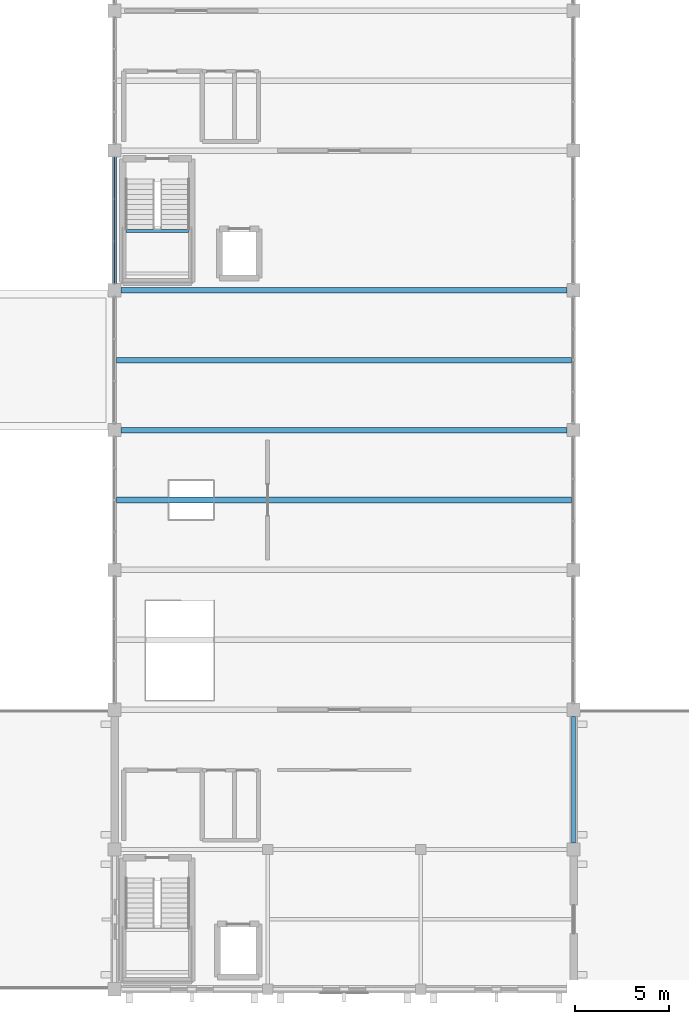
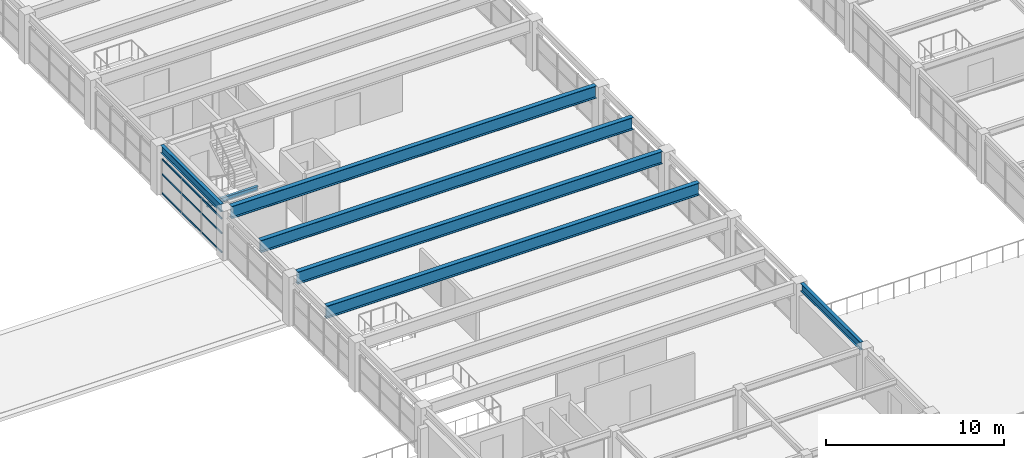
# One storey, part 29 of 121: 7 beams, 3 members, 1 element without a shape of its own.
"""IFC4 building model written with IfcOpenShell, lengths in metres."""

from ifc_helpers import new_model, si_unit, direction, frame, origin, origin_2d, place, context, subcontext, project, spatial, hollow_rectangle, i_section, extrude, material, material_profile, profile_set, type_object, element, aggregate, save


model = new_model("IFC4")

# Units and contexts
model_context = context("Model", 3, precision=1e-05, world=origin(), true_north=direction((0.0, 1.0)))
body_context = subcontext(model_context, "Body", "Model", "MODEL_VIEW")
ifc_project = project(units=[si_unit("LENGTHUNIT", "METRE"), si_unit("AREAUNIT", "SQUARE_METRE"), si_unit("VOLUMEUNIT", "CUBIC_METRE"), si_unit("PLANEANGLEUNIT", "RADIAN"), si_unit("MASSUNIT", "GRAM", prefix="KILO")], contexts=[model_context])

# Site, building, storey
site_placement = place(None, origin())
site = spatial("IfcSite", under=ifc_project, at=site_placement, CompositionType="ELEMENT")
building_placement = place(site_placement, origin())
building = spatial("IfcBuilding", under=site, at=building_placement, Name="Cimatlan Art Gallery", CompositionType="ELEMENT")
storey_placement = place(building_placement, frame((0.0, 0.0, 10.199951171875)))
storey = spatial("IfcBuildingStorey", under=building, at=storey_placement, Name="L02", CompositionType="ELEMENT", Elevation=10.199951171875)

# Beams
ifc_material_1 = material(Name="Steel ASTM A992 Grade 50", Category="steel")
ifc_material_profile_1 = material_profile(ifc_material_1, i_section(OverallWidth=0.2919921875, OverallDepth=0.845947265625, WebThickness=0.015380859375, FlangeThickness=0.0244140625, at=origin_2d()), Name="W33X141")
ifc_profile_set_1 = profile_set([ifc_material_profile_1], Name="Steel ASTM A992 Grade 50")
beam_type_1 = type_object("IfcBeamType", Name="BM-SPAN24-L03", PredefinedType="BEAM", material=ifc_profile_set_1)
beam_1_placement = place(storey_placement, frame((75.0048828125, 49.800048828125, 2.947021484375), z_axis=(1.0, 0.0, 0.0), x_axis=(0.0, 1.0, 0.0)))
element("IfcBeam", 1, at=beam_1_placement, inside=storey, type_object=beam_type_1, Name="BM-SP24M-L02-06", PredefinedType="BEAM", context=body_context, shape_type="SweptSolid", body=[
    extrude(i_section(OverallWidth=0.2919921875, OverallDepth=0.845947265625, WebThickness=0.015380859375, FlangeThickness=0.0244140625, at=origin_2d()), origin(), (0.0, 0.0, 1.0), 24.090087890625),
])
beam_2_placement = place(storey_placement, frame((75.25, 53.5, 2.947021484375), z_axis=(1.0, 0.0, 0.0), x_axis=(0.0, 1.0, 0.0)))
element("IfcBeam", 2, at=beam_2_placement, inside=storey, type_object=beam_type_1, Name="BM-SP24-L02-07", PredefinedType="BEAM", context=body_context, shape_type="SweptSolid", body=[
    extrude(i_section(OverallWidth=0.2919921875, OverallDepth=0.845947265625, WebThickness=0.015380859375, FlangeThickness=0.0244140625, at=origin_2d()), origin(), (0.0, 0.0, 1.0), 23.60009765625),
])
beam_3_placement = place(storey_placement, frame((75.0048828125, 57.199951171875, 2.947021484375), z_axis=(1.0, 0.0, 0.0), x_axis=(0.0, 1.0, 0.0)))
element("IfcBeam", 3, at=beam_3_placement, inside=storey, type_object=beam_type_1, Name="BM-SP24M-L02-07", PredefinedType="BEAM", context=body_context, shape_type="SweptSolid", body=[
    extrude(i_section(OverallWidth=0.2919921875, OverallDepth=0.845947265625, WebThickness=0.015380859375, FlangeThickness=0.0244140625, at=origin_2d()), origin(), (0.0, 0.0, 1.0), 24.090087890625),
])
beam_4_placement = place(storey_placement, frame((75.25, 60.89990234375, 2.947021484375), z_axis=(1.0, 0.0, 0.0), x_axis=(0.0, 1.0, 0.0)))
element("IfcBeam", 4, at=beam_4_placement, inside=storey, type_object=beam_type_1, Name="BM-SP24-L02-08", PredefinedType="BEAM", context=body_context, shape_type="SweptSolid", body=[
    extrude(i_section(OverallWidth=0.2919921875, OverallDepth=0.845947265625, WebThickness=0.015380859375, FlangeThickness=0.0244140625, at=origin_2d()), origin(), (0.0, 0.0, 1.0), 23.60009765625),
])
ifc_material_profile_2 = material_profile(ifc_material_1, i_section(OverallWidth=0.1650390625, OverallDepth=0.31005859375, WebThickness=0.005859375, FlangeThickness=0.009765625, at=origin_2d()), Name="W12X26")
ifc_profile_set_2 = profile_set([ifc_material_profile_2], Name="Steel ASTM A992 Grade 50")
beam_type_2 = type_object("IfcBeamType", Name="BM-STL-W12X26", PredefinedType="JOIST", material=ifc_profile_set_2)
beam_5_placement = place(storey_placement, frame((75.514892578125, 64.030029296875, 1.425048828125), z_axis=(1.0, 0.0, 0.0), x_axis=(0.0, 1.0, 0.0)))
element("IfcBeam", 5, at=beam_5_placement, inside=storey, type_object=beam_type_2, Name="BM-STR-C6-L02-LH2", PredefinedType="JOIST", context=body_context, shape_type="SweptSolid", body=[
    extrude(i_section(OverallWidth=0.1650390625, OverallDepth=0.31005859375, WebThickness=0.005859375, FlangeThickness=0.009765625, at=origin_2d()), origin(), (0.0, 0.0, 1.0), 3.2900390625),
])
ifc_material_profile_3 = material_profile(ifc_material_1, i_section(OverallWidth=0.2099609375, OverallDepth=0.532958984375, WebThickness=0.01025390625, FlangeThickness=0.015625, at=origin_2d()), Name="W21X62")
ifc_profile_set_3 = profile_set([ifc_material_profile_3], Name="Steel ASTM A992 Grade 50")
beam_type_3 = type_object("IfcBeamType", Name="BM-STL-W21X62", PredefinedType="BEAM", material=ifc_profile_set_3)
beam_6_placement = place(storey_placement, frame((74.89990234375, 61.25, 3.103515625), z_axis=(0.0, 1.0, 0.0), x_axis=(-1.0, 0.0, 0.0)))
element("IfcBeam", 6, at=beam_6_placement, inside=storey, type_object=beam_type_3, Name="BM-Y-L02-09-08", PredefinedType="BEAM", context=body_context, shape_type="SweptSolid", body=[
    extrude(i_section(OverallWidth=0.2099609375, OverallDepth=0.532958984375, WebThickness=0.01025390625, FlangeThickness=0.015625, at=origin_2d()), origin(), (0.0, 0.0, 1.0), 6.699951171875),
])
beam_7_placement = place(storey_placement, frame((99.199951171875, 31.64990234375, 3.103515625), z_axis=(0.0, 1.0, 0.0), x_axis=(-1.0, 0.0, 0.0)))
element("IfcBeam", 7, at=beam_7_placement, inside=storey, type_object=beam_type_3, Name="BM-Y-L02-12-04", PredefinedType="BEAM", context=body_context, shape_type="SweptSolid", body=[
    extrude(i_section(OverallWidth=0.2099609375, OverallDepth=0.532958984375, WebThickness=0.01025390625, FlangeThickness=0.015625, at=origin_2d()), origin(), (0.0, 0.0, 1.0), 6.7001953125),
])

# Curtain wall, members
ifc_material_2 = material(Name="Anodised bronze unitised curtain wall")
curtain_wall_type = type_object("IfcCurtainWallType", Name="CW-V-06692X02434-B3", PredefinedType="NOTDEFINED", material=ifc_material_2)
curtain_wall_placement = place(storey_placement, origin())
curtain_wall = element("IfcCurtainWall", 8, at=curtain_wall_placement, inside=storey, type_object=curtain_wall_type, Name="CW-L02-09-08-W", PredefinedType="NOTDEFINED")
ifc_material_3 = material(Name="Anodised bronze aluminium 6063-T6", Category="aluminium")
ifc_material_profile_4 = material_profile(ifc_material_3, hollow_rectangle(XDim=0.06005859375, YDim=0.110107421875, WallThickness=0.00341796875, at=origin_2d()), Name="ALU60X110X3")
ifc_profile_set_4 = profile_set([ifc_material_profile_4], Name="Anodised bronze aluminium 6063-T6")
member_type = type_object("IfcMemberType", Name="CW-TRN-110", PredefinedType="USERDEFINED", material=ifc_profile_set_4)
member_1_placement = place(storey_placement, frame((74.89990234375, 61.25390625, 0.06005859375), z_axis=(0.0, 1.0, 0.0), x_axis=(-1.0, 0.0, 0.0)))
member_1 = element("IfcMember", 9, at=member_1_placement, type_object=member_type, Name="CW-L02-09-08-W-T1", ObjectType="TRANSOM", PredefinedType="USERDEFINED", context=body_context, shape_type="SweptSolid", body=[
    extrude(hollow_rectangle(XDim=0.06005859375, YDim=0.110107421875, WallThickness=0.00341796875, at=origin_2d()), origin(), (0.0, 0.0, 1.0), 6.692138671875),
])
member_2_placement = place(storey_placement, frame((74.89990234375, 61.25390625, 1.363037109375), z_axis=(0.0, 1.0, 0.0), x_axis=(-1.0, 0.0, 0.0)))
member_2 = element("IfcMember", 10, at=member_2_placement, type_object=member_type, Name="CW-L02-09-08-W-T2", ObjectType="TRANSOM", PredefinedType="USERDEFINED", context=body_context, shape_type="SweptSolid", body=[
    extrude(hollow_rectangle(XDim=0.06005859375, YDim=0.110107421875, WallThickness=0.00341796875, at=origin_2d()), origin(), (0.0, 0.0, 1.0), 6.692138671875),
])
member_3_placement = place(storey_placement, frame((74.89990234375, 61.25390625, 2.3740234375), z_axis=(0.0, 1.0, 0.0), x_axis=(-1.0, 0.0, 0.0)))
member_3 = element("IfcMember", 11, at=member_3_placement, type_object=member_type, Name="CW-L02-09-08-W-T3", ObjectType="TRANSOM", PredefinedType="USERDEFINED", context=body_context, shape_type="SweptSolid", body=[
    extrude(hollow_rectangle(XDim=0.06005859375, YDim=0.110107421875, WallThickness=0.00341796875, at=origin_2d()), origin(), (0.0, 0.0, 1.0), 6.692138671875),
])
aggregate(curtain_wall, [member_1, member_2, member_3])

save(model, "model.ifc")
